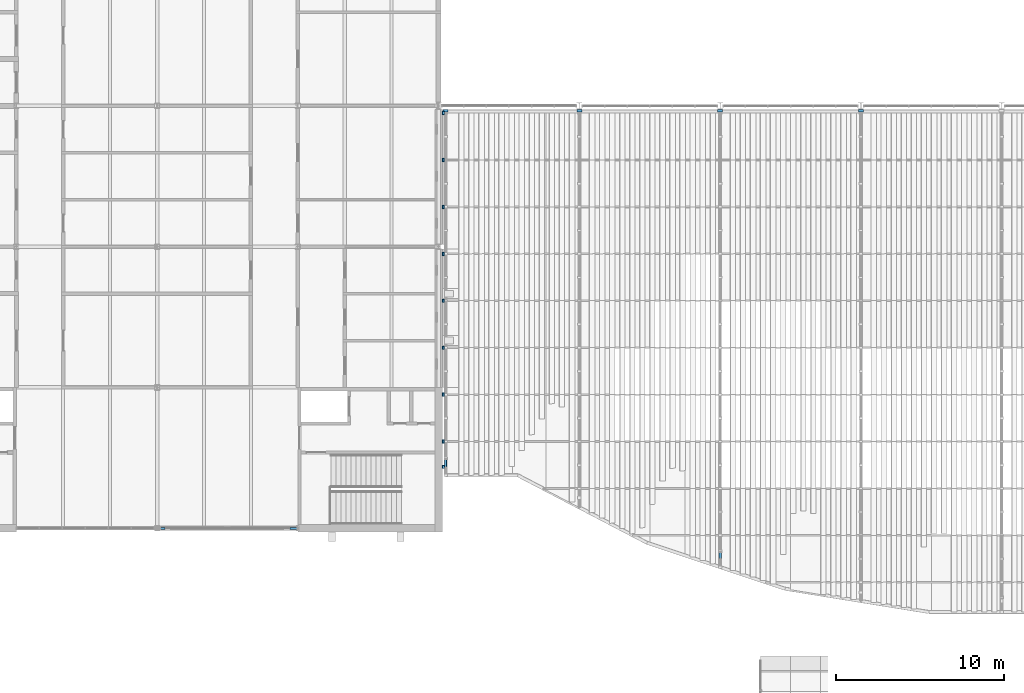
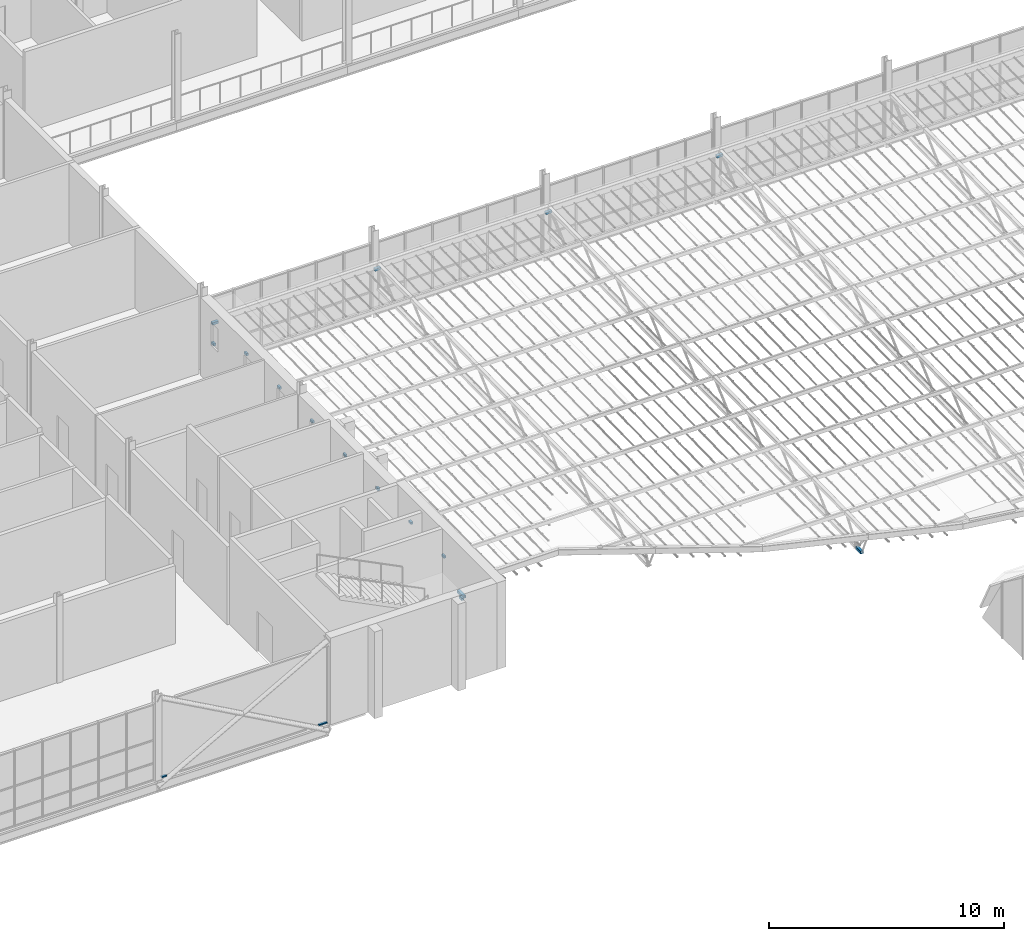
# One storey, part 60 of 129: 17 members, 1 element without a shape of its own.
"""IFC4 building model written with IfcOpenShell, lengths in metres."""

from ifc_helpers import new_model, si_unit, direction, frame, origin, origin_2d, place, context, subcontext, project, spatial, rectangle, hollow_rectangle, extrude, material, layer, layer_set, material_profile, profile_set, type_object, element, aggregate, save


model = new_model("IFC4")

# Units and contexts
model_context = context("Model", 3, precision=1e-05, world=origin(), true_north=direction((0.0, 1.0)))
body_context = subcontext(model_context, "Body", "Model", "MODEL_VIEW")
ifc_project = project(units=[si_unit("LENGTHUNIT", "METRE"), si_unit("AREAUNIT", "SQUARE_METRE"), si_unit("VOLUMEUNIT", "CUBIC_METRE"), si_unit("PLANEANGLEUNIT", "RADIAN"), si_unit("MASSUNIT", "GRAM", prefix="KILO")], contexts=[model_context])

# Site, building, storey
site_placement = place(None, origin())
site = spatial("IfcSite", under=ifc_project, at=site_placement, CompositionType="ELEMENT")
building_placement = place(site_placement, origin())
building = spatial("IfcBuilding", under=site, at=building_placement, Name="Ardhachandra Cancer Care Centre", CompositionType="ELEMENT")
storey_placement = place(building_placement, frame((0.0, 0.0, 4.5)))
storey = spatial("IfcBuildingStorey", under=building, at=storey_placement, Name="L01", CompositionType="ELEMENT", Elevation=4.5)

# Members
ifc_material_1 = material(Name="Steel E350 (IS 2062)", Category="steel")
ifc_material_profile_1 = material_profile(ifc_material_1, hollow_rectangle(XDim=0.14990234375, YDim=0.14990234375, WallThickness=0.006103515625, InnerFilletRadius=0.006103515625, OuterFilletRadius=0.011962890625, at=origin_2d()), Name="SHS 150x150x6.0")
ifc_profile_set_1 = profile_set([ifc_material_profile_1], Name="Steel E350 (IS 2062)")
member_type_1 = type_object("IfcMemberType", Name="Canopy truss bottom chord SHS 150x150x6.0", PredefinedType="CHORD", material=ifc_profile_set_1)
member_1_placement = place(storey_placement, frame((44.81494140625, 33.566162109375, 1.206298828125), z_axis=(0.0, -0.999799081378, -0.020044871558), x_axis=(1.0, 0.0, 0.0)))
element("IfcMember", 1, at=member_1_placement, inside=storey, type_object=member_type_1, Name="Canopy truss 1 bottom chord BC17", PredefinedType="CHORD", context=body_context, shape_type="SweptSolid", body=[
    extrude(hollow_rectangle(XDim=0.14990234375, YDim=0.14990234375, WallThickness=0.006103515625, InnerFilletRadius=0.006103515625, OuterFilletRadius=0.011962890625, at=origin_2d()), origin(), (0.0, 0.0, 1.0), 0.499267578125),
])
member_2_placement = place(storey_placement, frame((61.199951171875, 28.025634765625, 1.095458984375), z_axis=(0.0, -0.999800997284, -0.019949080932), x_axis=(1.0, 0.0, 0.0)))
element("IfcMember", 2, at=member_2_placement, inside=storey, type_object=member_type_1, Name="Canopy truss 3 bottom chord BC21", PredefinedType="CHORD", context=body_context, shape_type="SweptSolid", body=[
    extrude(hollow_rectangle(XDim=0.14990234375, YDim=0.14990234375, WallThickness=0.006103515625, InnerFilletRadius=0.006103515625, OuterFilletRadius=0.011962890625, at=origin_2d()), origin(), (0.0, 0.0, 1.0), 0.416015625),
])

# Curtain wall, members
ifc_material_2 = material(Name="Aluminium extrusion", Category="aluminium")
ifc_layer = layer(ifc_material_2, 0.14990234375)
ifc_layer_set = layer_set([ifc_layer], Name="Aluminium extrusion")
curtain_wall_type = type_object("IfcCurtainWallType", Name="Curtain wall run", PredefinedType="NOTDEFINED", material=ifc_layer_set)
curtain_wall_placement = place(storey_placement, origin())
curtain_wall = element("IfcCurtainWall", 3, at=curtain_wall_placement, inside=storey, type_object=curtain_wall_type, Name="Curtain wall L01 s/0027600_0029400", PredefinedType="NOTDEFINED")
ifc_material_3 = material(Name="Aluminium extrusion", Category="aluminium")
ifc_material_profile_2 = material_profile(ifc_material_3, rectangle(XDim=0.1201171875, YDim=0.06005859375, at=origin_2d()), Name="Curtain wall transom 60 x 120")
ifc_profile_set_2 = profile_set([ifc_material_profile_2], Name="Aluminium extrusion")
member_type_2 = type_object("IfcMemberType", Name="Curtain wall transom 60 x 120", PredefinedType="USERDEFINED", material=ifc_profile_set_2)
member_3_placement = place(storey_placement, frame((27.81005859375, 29.39990234375, 0.030029296875), z_axis=(1.0, 0.0, 0.0), x_axis=(0.0, 1.0, 0.0)))
member_3 = element("IfcMember", 4, at=member_3_placement, type_object=member_type_2, Name="CW transom 1.1", ObjectType="TRANSOM", PredefinedType="USERDEFINED", context=body_context, shape_type="SweptSolid", body=[
    extrude(rectangle(XDim=0.1201171875, YDim=0.06005859375, at=origin_2d()), origin(), (0.0, 0.0, 1.0), 0.25537109375),
])
member_4_placement = place(storey_placement, frame((35.534423828125, 29.39990234375, 0.030029296875), z_axis=(1.0, 0.0, 0.0), x_axis=(0.0, 1.0, 0.0)))
member_4 = element("IfcMember", 5, at=member_4_placement, type_object=member_type_2, Name="CW transom 1.1", ObjectType="TRANSOM", PredefinedType="USERDEFINED", context=body_context, shape_type="SweptSolid", body=[
    extrude(rectangle(XDim=0.1201171875, YDim=0.06005859375, at=origin_2d()), origin(), (0.0, 0.0, 1.0), 0.405517578125),
])
aggregate(curtain_wall, [member_3, member_4])

# Members
ifc_material_4 = material(Name="Steel E350 (IS 2062)", Category="steel")
ifc_material_profile_3 = material_profile(ifc_material_4, rectangle(XDim=0.300048828125, YDim=0.1201171875, at=origin_2d()), Name="PL 300x120")
ifc_profile_set_3 = profile_set([ifc_material_profile_3], Name="Steel E350 (IS 2062)")
member_type_3 = type_object("IfcMemberType", Name="Eave beam bracket 300x120", PredefinedType="USERDEFINED", material=ifc_profile_set_3)
for number, where, z_axis, x_axis, name in (
    (6, (44.81494140625, 54.22509765625, 2.58544921875), (0.0, 1.0, 0.0), (-1.0, 0.0, 0.0), "Eave beam bracket 1"),
    (7, (52.800048828125, 54.22509765625, 2.58544921875), (0.0, 1.0, 0.0), (-1.0, 0.0, 0.0), "Eave beam bracket 2"),
    (8, (61.199951171875, 54.22509765625, 2.58544921875), (0.0, 1.0, 0.0), (-1.0, 0.0, 0.0), "Eave beam bracket 3"),
    (9, (69.60009765625, 54.22509765625, 2.58544921875), (0.0, 1.0, 0.0), (-1.0, 0.0, 0.0), "Eave beam bracket 4"),
):
    element("IfcMember", number, at=place(storey_placement, frame(where, z_axis=z_axis, x_axis=x_axis)), inside=storey, type_object=member_type_3, Name=name, ObjectType="BRACKET", PredefinedType="USERDEFINED", context=body_context, shape_type="SweptSolid", body=[
        extrude(rectangle(XDim=0.300048828125, YDim=0.1201171875, at=origin_2d()), origin(), (0.0, 0.0, 1.0), 0.14990234375),
    ])
ifc_material_5 = material(Name="Steel E350 (IS 2062)", Category="steel")
ifc_material_profile_4 = material_profile(ifc_material_5, rectangle(XDim=0.199951171875, YDim=0.1201171875, at=origin_2d()), Name="PL 200x120")
ifc_profile_set_4 = profile_set([ifc_material_profile_4], Name="Steel E350 (IS 2062)")
member_type_4 = type_object("IfcMemberType", Name="Truss bearing bracket 200x120", PredefinedType="USERDEFINED", material=ifc_profile_set_4)
for number, where, z_axis, x_axis, name in (
    (10, (44.625, 51.375, 2.797607421875), (1.0, 0.0, 0.0), (0.0, 1.0, 0.0), "Truss bearing bracket 1"),
    (11, (44.625, 48.574951171875, 2.741455078125), (1.0, 0.0, 0.0), (0.0, 1.0, 0.0), "Truss bearing bracket 2"),
    (12, (44.625, 45.77490234375, 2.685546875), (1.0, 0.0, 0.0), (0.0, 1.0, 0.0), "Truss bearing bracket 3"),
    (13, (44.625, 42.97509765625, 2.62939453125), (1.0, 0.0, 0.0), (0.0, 1.0, 0.0), "Truss bearing bracket 4"),
    (14, (44.625, 40.175048828125, 2.573486328125), (1.0, 0.0, 0.0), (0.0, 1.0, 0.0), "Truss bearing bracket 5"),
    (15, (44.625, 37.375, 2.517578125), (1.0, 0.0, 0.0), (0.0, 1.0, 0.0), "Truss bearing bracket 6"),
    (16, (44.625, 34.574951171875, 2.46142578125), (1.0, 0.0, 0.0), (0.0, 1.0, 0.0), "Truss bearing bracket 7"),
):
    element("IfcMember", number, at=place(storey_placement, frame(where, z_axis=z_axis, x_axis=x_axis)), inside=storey, type_object=member_type_4, Name=name, ObjectType="BRACKET", PredefinedType="USERDEFINED", context=body_context, shape_type="SweptSolid", body=[
        extrude(rectangle(XDim=0.199951171875, YDim=0.1201171875, at=origin_2d()), origin(), (0.0, 0.0, 1.0), 0.10009765625),
    ])
for number, where, z_axis, x_axis, name in (
    (17, (44.625, 33.06689453125, 1.181396484375), (1.0, 0.0, 0.0), (0.0, 1.0, 0.0), "Truss seat bracket 1"),
    (18, (44.625, 54.175048828125, 1.603515625), (1.0, 0.0, 0.0), (0.0, 1.0, 0.0), "Truss seat bracket 2"),
):
    element("IfcMember", number, at=place(storey_placement, frame(where, z_axis=z_axis, x_axis=x_axis)), inside=storey, type_object=member_type_4, Name=name, ObjectType="BRACKET", PredefinedType="USERDEFINED", context=body_context, shape_type="SweptSolid", body=[
        extrude(rectangle(XDim=0.199951171875, YDim=0.1201171875, at=origin_2d()), origin(), (0.0, 0.0, 1.0), 0.114990234375),
    ])

save(model, "model.ifc")
